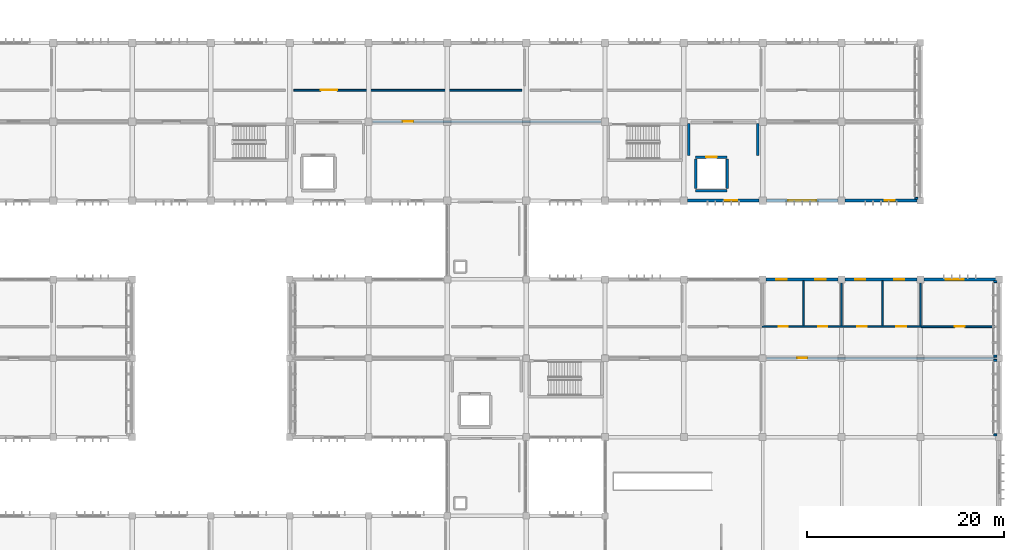
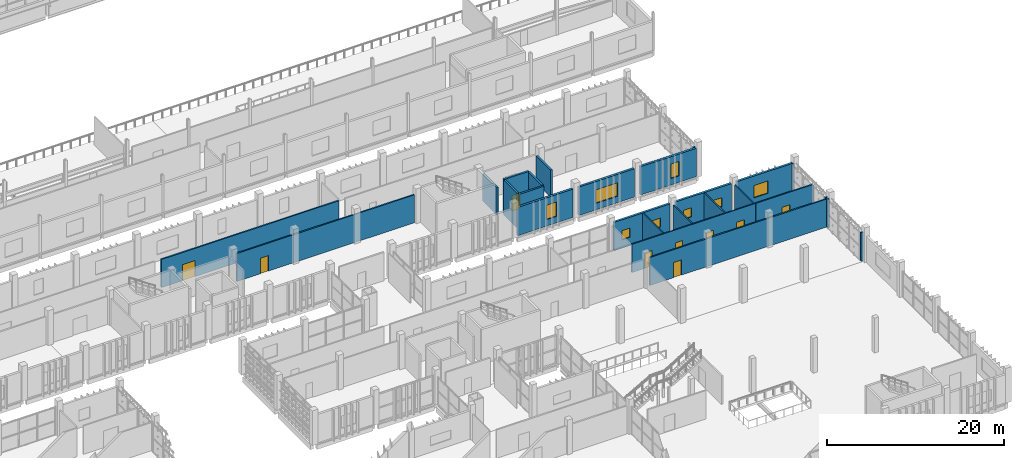
# One storey, part 89 of 106: 26 walls, 9 doors, 8 windows, 17 openings.
"""IFC4 building model written with IfcOpenShell, lengths in metres."""

from ifc_helpers import new_model, si_unit, direction, frame, frame_2d, origin, place, context, subcontext, project, spatial, rectangle, extrude, material, layer, layer_set, type_object, element, fill, save


model = new_model("IFC4")

# Units and contexts
model_context = context("Model", 3, precision=1e-05, world=origin(), true_north=direction((0.0, 1.0)))
body_context = subcontext(model_context, "Body", "Model", "MODEL_VIEW")
ifc_project = project(units=[si_unit("LENGTHUNIT", "METRE"), si_unit("AREAUNIT", "SQUARE_METRE"), si_unit("VOLUMEUNIT", "CUBIC_METRE"), si_unit("PLANEANGLEUNIT", "RADIAN"), si_unit("MASSUNIT", "GRAM", prefix="KILO")], contexts=[model_context])

# Site, building, storey
site_placement = place(None, origin())
site = spatial("IfcSite", under=ifc_project, at=site_placement, CompositionType="ELEMENT")
building_placement = place(site_placement, origin())
building = spatial("IfcBuilding", under=site, at=building_placement, Name="Jelvoka-Kovrelna Polytechnic", CompositionType="ELEMENT")
storey_placement = place(building_placement, frame((0.0, 0.0, 4.800048828125)))
storey = spatial("IfcBuildingStorey", under=building, at=storey_placement, Name="L02", CompositionType="ELEMENT", Elevation=4.800048828125)

# Walls
ifc_material_1 = material(Name="Concrete C35/45", Category="concrete")
ifc_layer_1 = layer(ifc_material_1, 0.219970703125)
ifc_layer_set_1 = layer_set([ifc_layer_1], Name="Concrete C35/45")
wall_type_1 = type_object("IfcWallType", Name="Wall_Compartment_220", PredefinedType="PARTITIONING", material=ifc_layer_set_1)
for number, where, z_axis, x_axis, name in (
    (1, (168.5, 60.550048828125, 0.0), (0.0, 0.0, 1.0), (0.0, 1.0, 0.0), "L02 interior wall 0347"),
    (2, (175.5, 60.550048828125, 0.0), (0.0, 0.0, 1.0), (0.0, 1.0, 0.0), "L02 interior wall 0348"),
):
    element("IfcWall", number, at=place(storey_placement, frame(where, z_axis=z_axis, x_axis=x_axis)), inside=storey, type_object=wall_type_1, Name=name, PredefinedType="PARTITIONING", context=body_context, shape_type="SweptSolid", body=[
        extrude(rectangle(XDim=3.25, YDim=0.219970703125, at=frame_2d((1.625, 0.0))), origin(), (0.0, 0.0, 1.0), 3.760009765625),
    ])
ifc_material_2 = material(Name="Concrete C40/50", Category="concrete")
ifc_layer_2 = layer(ifc_material_2, 0.25)
ifc_layer_set_2 = layer_set([ifc_layer_2], Name="Concrete C40/50")
wall_type_2 = type_object("IfcWallType", Name="Wall_Core_250", PredefinedType="SOLIDWALL", material=ifc_layer_set_2)
wall_1_placement = place(storey_placement, frame((169.199951171875, 57.0, 0.0), z_axis=(0.0, 0.0, 1.0), x_axis=(1.0, 0.0, 0.0)))
element("IfcWall", 3, at=wall_1_placement, inside=storey, type_object=wall_type_2, Name="L02 interior wall 0342", PredefinedType="SOLIDWALL", context=body_context, shape_type="SweptSolid", body=[
    extrude(rectangle(XDim=3.199951171875, YDim=0.25, at=frame_2d((1.60009765625, 0.0))), origin(), (0.0, 0.0, 1.0), 4.800048828125),
])

# Wall, opening, door
wall_2_placement = place(storey_placement, frame((169.199951171875, 60.39990234375, 0.0), z_axis=(0.0, 0.0, 1.0), x_axis=(1.0, 0.0, 0.0)))
wall_2 = element("IfcWall", 4, at=wall_2_placement, inside=storey, type_object=wall_type_2, Name="L02 interior wall 0343", PredefinedType="SOLIDWALL", context=body_context, shape_type="SweptSolid", body=[
    extrude(rectangle(XDim=3.199951171875, YDim=0.25, at=frame_2d((1.60009765625, 0.0))), origin(), (0.0, 0.0, 1.0), 4.800048828125),
])
opening_1_placement = place(wall_2_placement, frame((1.050048828125, 0.0, 0.0)))
opening_1 = element("IfcOpeningElement", 5, at=opening_1_placement, cuts=wall_2, Name="Opening LD-L02-12", PredefinedType="OPENING", context=body_context, shape_type="SweptSolid", body=[
    extrude(rectangle(XDim=1.10009765625, YDim=2.14990234375, at=frame_2d((0.550048828125, 1.074951171875))), frame((0.0, 0.135009765625, 0.0), z_axis=(0.0, -1.0, 0.0), x_axis=(1.0, 0.0, 0.0)), (0.0, 0.0, 1.0), 0.27001953125),
])
ifc_material_3 = material(Name="Brushed stainless steel sliding landing door", Category="steel")
door_type_1 = type_object("IfcDoorType", Name="Door_Lift_LD01", OperationType="NOTDEFINED", PredefinedType="DOOR", material=ifc_material_3)
door_1_placement = place(opening_1_placement, origin())
door_1 = element("IfcDoor", 6, at=door_1_placement, inside=storey, type_object=door_type_1, Name="L02 lift landing sliding door LD-L02-12", OperationType="DOUBLE_DOOR_SLIDING", OverallHeight=2.14990234375, OverallWidth=1.10009765625, PredefinedType="DOOR", context=body_context, shape_type="SweptSolid", body=[
    extrude(rectangle(XDim=1.10009765625, YDim=2.14990234375, at=frame_2d((0.550048828125, 1.074951171875))), frame((0.0, 0.02490234375, 0.0), z_axis=(0.0, -1.0, 0.0), x_axis=(1.0, 0.0, 0.0)), (0.0, 0.0, 1.0), 0.050048828125),
])
fill(opening_1, door_1)

# Walls
for number, where, z_axis, x_axis, name in (
    (7, (169.199951171875, 57.199951171875, 0.0), (0.0, 0.0, 1.0), (0.0, 1.0, 0.0), "L02 interior wall 0344"),
    (8, (172.39990234375, 57.199951171875, 0.0), (0.0, 0.0, 1.0), (0.0, 1.0, 0.0), "L02 interior wall 0345"),
):
    element("IfcWall", number, at=place(storey_placement, frame(where, z_axis=z_axis, x_axis=x_axis)), inside=storey, type_object=wall_type_2, Name=name, PredefinedType="SOLIDWALL", context=body_context, shape_type="SweptSolid", body=[
        extrude(rectangle(XDim=3.0, YDim=0.25, at=frame_2d((1.5, 0.0))), origin(), (0.0, 0.0, 1.0), 4.800048828125),
    ])

# Wall, opening, door
ifc_material_4 = material(Name="Autoclaved aerated concrete blockwork", Category="masonry")
ifc_layer_3 = layer(ifc_material_4, 0.179931640625)
ifc_layer_set_3 = layer_set([ifc_layer_3], Name="Autoclaved aerated concrete blockwork")
wall_type_3 = type_object("IfcWallType", Name="Wall_Corridor_180", PredefinedType="PARTITIONING", material=ifc_layer_set_3)
wall_3_placement = place(storey_placement, frame((176.429931640625, 40.0, 0.0), z_axis=(0.0, 0.0, 1.0), x_axis=(1.0, 0.0, 0.0)))
wall_3 = element("IfcWall", 9, at=wall_3_placement, inside=storey, type_object=wall_type_3, Name="L02 interior wall 0969", PredefinedType="PARTITIONING", context=body_context, shape_type="SweptSolid", body=[
    extrude(rectangle(XDim=23.14013671875, YDim=0.179931640625, at=frame_2d((11.570068359375, 0.0))), origin(), (0.0, 0.0, 1.0), 3.85986328125),
])
opening_2_placement = place(wall_3_placement, frame((3.06005859375, 0.0, 0.0)))
opening_2 = element("IfcOpeningElement", 10, at=opening_2_placement, cuts=wall_3, Name="Opening D-L02-237", PredefinedType="OPENING", context=body_context, shape_type="SweptSolid", body=[
    extrude(rectangle(XDim=1.02001953125, YDim=2.10009765625, at=frame_2d((0.510009765625, 1.050048828125))), frame((0.0, 0.099853515625, 0.0), z_axis=(0.0, -1.0, 0.0), x_axis=(1.0, 0.0, 0.0)), (0.0, 0.0, 1.0), 0.199951171875),
])
ifc_material_5 = material(Name="Hardwood solid-core door", Category="wood")
door_type_2 = type_object("IfcDoorType", Name="Door_Int_D04", OperationType="NOTDEFINED", PredefinedType="DOOR", material=ifc_material_5)
door_2_placement = place(opening_2_placement, origin())
door_2 = element("IfcDoor", 11, at=door_2_placement, inside=storey, type_object=door_type_2, Name="L02 interior door D-L02-237", OperationType="SINGLE_SWING_RIGHT", OverallHeight=2.10009765625, OverallWidth=1.02001953125, PredefinedType="DOOR", context=body_context, shape_type="SweptSolid", body=[
    extrude(rectangle(XDim=1.02001953125, YDim=2.10009765625, at=frame_2d((0.510009765625, 1.050048828125))), frame((0.0, 0.02490234375, 0.0), z_axis=(0.0, -1.0, 0.0), x_axis=(1.0, 0.0, 0.0)), (0.0, 0.0, 1.0), 0.050048828125),
])
fill(opening_2, door_2)

wall_4_placement = place(storey_placement, frame((192.074951171875, 43.199951171875, 0.0), z_axis=(0.0, 0.0, 1.0), x_axis=(1.0, 0.0, 0.0)))
wall_4 = element("IfcWall", 12, at=wall_4_placement, inside=storey, type_object=wall_type_3, Name="L02 interior wall 0974", PredefinedType="PARTITIONING", context=body_context, shape_type="SweptSolid", body=[
    extrude(rectangle(XDim=7.4951171875, YDim=0.179931640625, at=frame_2d((3.74755859375, 0.0))), origin(), (0.0, 0.0, 1.0), 3.89990234375),
])
opening_3_placement = place(wall_4_placement, frame((3.405029296875, 0.0, 0.0)))
opening_3 = element("IfcOpeningElement", 13, at=opening_3_placement, cuts=wall_4, Name="Opening D-L02-241", PredefinedType="OPENING", context=body_context, shape_type="SweptSolid", body=[
    extrude(rectangle(XDim=1.0400390625, YDim=2.14990234375, at=frame_2d((0.52001953125, 1.074951171875))), frame((0.0, 0.099853515625, 0.0), z_axis=(0.0, -1.0, 0.0), x_axis=(1.0, 0.0, 0.0)), (0.0, 0.0, 1.0), 0.199951171875),
])
ifc_material_6 = material(Name="Hardwood acoustic seminar door", Category="wood")
door_type_3 = type_object("IfcDoorType", Name="Door_Int_D09", OperationType="NOTDEFINED", PredefinedType="DOOR", material=ifc_material_6)
door_3_placement = place(opening_3_placement, origin())
door_3 = element("IfcDoor", 14, at=door_3_placement, inside=storey, type_object=door_type_3, Name="L02 interior door D-L02-241", OperationType="SINGLE_SWING_RIGHT", OverallHeight=2.14990234375, OverallWidth=1.0400390625, PredefinedType="DOOR", context=body_context, shape_type="SweptSolid", body=[
    extrude(rectangle(XDim=1.0400390625, YDim=2.14990234375, at=frame_2d((0.52001953125, 1.074951171875))), frame((0.0, 0.02490234375, 0.0), z_axis=(0.0, -1.0, 0.0), x_axis=(1.0, 0.0, 0.0)), (0.0, 0.0, 1.0), 0.050048828125),
])
fill(opening_3, door_3)

wall_5_placement = place(storey_placement, frame((136.429931640625, 64.0, 0.0), z_axis=(0.0, 0.0, 1.0), x_axis=(1.0, 0.0, 0.0)))
wall_5 = element("IfcWall", 15, at=wall_5_placement, inside=storey, type_object=wall_type_3, Name="L02 interior wall 0981", PredefinedType="PARTITIONING", context=body_context, shape_type="SweptSolid", body=[
    extrude(rectangle(XDim=23.14013671875, YDim=0.179931640625, at=frame_2d((11.570068359375, 0.0))), origin(), (0.0, 0.0, 1.0), 3.85986328125),
])
opening_4_placement = place(wall_5_placement, frame((3.044921875, 0.0, 0.0)))
opening_4 = element("IfcOpeningElement", 16, at=opening_4_placement, cuts=wall_5, Name="Opening D-L02-246", PredefinedType="OPENING", context=body_context, shape_type="SweptSolid", body=[
    extrude(rectangle(XDim=1.050048828125, YDim=2.14990234375, at=frame_2d((0.52490234375, 1.074951171875))), frame((0.0, 0.099853515625, 0.0), z_axis=(0.0, -1.0, 0.0), x_axis=(1.0, 0.0, 0.0)), (0.0, 0.0, 1.0), 0.199951171875),
])
ifc_material_7 = material(Name="Hardwood fire-resisting laboratory door", Category="wood")
door_type_4 = type_object("IfcDoorType", Name="Door_Fire_FD30_02", OperationType="NOTDEFINED", PredefinedType="DOOR", material=ifc_material_7)
door_4_placement = place(opening_4_placement, origin())
door_4 = element("IfcDoor", 17, at=door_4_placement, inside=storey, type_object=door_type_4, Name="L02 interior door D-L02-246", OperationType="SINGLE_SWING_LEFT", OverallHeight=2.14990234375, OverallWidth=1.050048828125, PredefinedType="DOOR", context=body_context, shape_type="SweptSolid", body=[
    extrude(rectangle(XDim=1.050048828125, YDim=2.14990234375, at=frame_2d((0.52490234375, 1.074951171875))), frame((0.0, 0.02490234375, 0.0), z_axis=(0.0, -1.0, 0.0), x_axis=(1.0, 0.0, 0.0)), (0.0, 0.0, 1.0), 0.050048828125),
])
fill(opening_4, door_4)

wall_6_placement = place(storey_placement, frame((128.429931640625, 67.199951171875, 0.0), z_axis=(0.0, 0.0, 1.0), x_axis=(1.0, 0.0, 0.0)))
wall_6 = element("IfcWall", 18, at=wall_6_placement, inside=storey, type_object=wall_type_3, Name="L02 interior wall 0987", PredefinedType="PARTITIONING", context=body_context, shape_type="SweptSolid", body=[
    extrude(rectangle(XDim=23.14013671875, YDim=0.179931640625, at=frame_2d((11.570068359375, 0.0))), origin(), (0.0, 0.0, 1.0), 3.89990234375),
])
opening_5_placement = place(wall_6_placement, frame((2.739990234375, 0.0, 0.0)))
opening_5 = element("IfcOpeningElement", 19, at=opening_5_placement, cuts=wall_6, Name="Opening D-L02-251", PredefinedType="OPENING", context=body_context, shape_type="SweptSolid", body=[
    extrude(rectangle(XDim=1.659912109375, YDim=2.219970703125, at=frame_2d((0.830078125, 1.10986328125))), frame((0.0, 0.099853515625, 0.0), z_axis=(0.0, -1.0, 0.0), x_axis=(1.0, 0.0, 0.0)), (0.0, 0.0, 1.0), 0.199951171875),
])
ifc_material_8 = material(Name="Paired acoustic fire-resisting lecture door", Category="wood")
door_type_5 = type_object("IfcDoorType", Name="Door_Fire_FD30_08", OperationType="NOTDEFINED", PredefinedType="DOOR", material=ifc_material_8)
door_5_placement = place(opening_5_placement, origin())
door_5 = element("IfcDoor", 20, at=door_5_placement, inside=storey, type_object=door_type_5, Name="L02 interior door D-L02-251", OperationType="DOUBLE_DOOR_SINGLE_SWING", OverallHeight=2.219970703125, OverallWidth=1.659912109375, PredefinedType="DOOR", context=body_context, shape_type="SweptSolid", body=[
    extrude(rectangle(XDim=1.659912109375, YDim=2.219970703125, at=frame_2d((0.830078125, 1.10986328125))), frame((0.0, 0.02490234375, 0.0), z_axis=(0.0, -1.0, 0.0), x_axis=(1.0, 0.0, 0.0)), (0.0, 0.0, 1.0), 0.050048828125),
])
fill(opening_5, door_5)

# Wall, openings, windows
ifc_material_9 = material(Name="Precast concrete C40/50", Category="concrete")
ifc_layer_4 = layer(ifc_material_9, 0.280029296875)
ifc_layer_set_4 = layer_set([ifc_layer_4], Name="Precast concrete C40/50")
wall_type_4 = type_object("IfcWallType", Name="Wall_Ext_White_280", PredefinedType="STANDARD", material=ifc_layer_set_4)
wall_7_placement = place(storey_placement, frame((176.346923828125, 48.0, 0.0), z_axis=(0.0, 0.0, 1.0), x_axis=(1.0, 0.0, 0.0)))
wall_7 = element("IfcWall", 21, at=wall_7_placement, inside=storey, type_object=wall_type_4, Name="L02 exterior wall 0465", PredefinedType="STANDARD", context=body_context, shape_type="SweptSolid", body=[
    extrude(rectangle(XDim=7.30615234375, YDim=0.280029296875, at=frame_2d((3.653076171875, 0.0))), origin(), (0.0, 0.0, 1.0), 3.909912109375),
])
opening_6_placement = place(wall_7_placement, frame((1.032958984375, 0.0, 1.14990234375)))
opening_6 = element("IfcOpeningElement", 22, at=opening_6_placement, cuts=wall_7, Name="Opening W-L02-182", PredefinedType="OPENING", context=body_context, shape_type="SweptSolid", body=[
    extrude(rectangle(XDim=1.050048828125, YDim=1.25, at=frame_2d((0.52490234375, 0.625))), frame((0.0, 0.150146484375, 0.0), z_axis=(0.0, -1.0, 0.0), x_axis=(1.0, 0.0, 0.0)), (0.0, 0.0, 1.0), 0.300048828125),
])
opening_7_placement = place(wall_7_placement, frame((4.98291015625, 0.0, 1.14990234375)))
opening_7 = element("IfcOpeningElement", 23, at=opening_7_placement, cuts=wall_7, Name="Opening W-L02-183", PredefinedType="OPENING", context=body_context, shape_type="SweptSolid", body=[
    extrude(rectangle(XDim=1.050048828125, YDim=1.25, at=frame_2d((0.52490234375, 0.625))), frame((0.0, 0.150146484375, 0.0), z_axis=(0.0, -1.0, 0.0), x_axis=(1.0, 0.0, 0.0)), (0.0, 0.0, 1.0), 0.300048828125),
])
ifc_material_10 = material(Name="Thermally broken anodised aluminium and low-e glazing", Category="aluminium")
window_type_1 = type_object("IfcWindowType", Name="Win_Casement_W01", PartitioningType="SINGLE_PANEL", PredefinedType="WINDOW", material=ifc_material_10)
window_1_placement = place(opening_6_placement, origin())
window_1 = element("IfcWindow", 24, at=window_1_placement, inside=storey, type_object=window_type_1, Name="L02 aluminium casement window W-L02-182", OverallHeight=1.25, OverallWidth=1.050048828125, PartitioningType="SINGLE_PANEL", PredefinedType="WINDOW", context=body_context, shape_type="SweptSolid", body=[
    extrude(rectangle(XDim=1.050048828125, YDim=1.25, at=frame_2d((0.52490234375, 0.625))), frame((0.0, 0.030029296875, 0.0), z_axis=(0.0, -1.0, 0.0), x_axis=(1.0, 0.0, 0.0)), (0.0, 0.0, 1.0), 0.06005859375),
])
fill(opening_6, window_1)
window_2_placement = place(opening_7_placement, origin())
window_2 = element("IfcWindow", 25, at=window_2_placement, inside=storey, type_object=window_type_1, Name="L02 aluminium casement window W-L02-183", OverallHeight=1.25, OverallWidth=1.050048828125, PartitioningType="SINGLE_PANEL", PredefinedType="WINDOW", context=body_context, shape_type="SweptSolid", body=[
    extrude(rectangle(XDim=1.050048828125, YDim=1.25, at=frame_2d((0.52490234375, 0.625))), frame((0.0, 0.030029296875, 0.0), z_axis=(0.0, -1.0, 0.0), x_axis=(1.0, 0.0, 0.0)), (0.0, 0.0, 1.0), 0.06005859375),
])
fill(opening_7, window_2)

wall_8_placement = place(storey_placement, frame((184.346923828125, 48.0, 0.0), z_axis=(0.0, 0.0, 1.0), x_axis=(1.0, 0.0, 0.0)))
wall_8 = element("IfcWall", 26, at=wall_8_placement, inside=storey, type_object=wall_type_4, Name="L02 exterior wall 0466", PredefinedType="STANDARD", context=body_context, shape_type="SweptSolid", body=[
    extrude(rectangle(XDim=7.30615234375, YDim=0.280029296875, at=frame_2d((3.653076171875, 0.0))), origin(), (0.0, 0.0, 1.0), 3.909912109375),
])
opening_8_placement = place(wall_8_placement, frame((1.032958984375, 0.0, 1.14990234375)))
opening_8 = element("IfcOpeningElement", 27, at=opening_8_placement, cuts=wall_8, Name="Opening W-L02-184", PredefinedType="OPENING", context=body_context, shape_type="SweptSolid", body=[
    extrude(rectangle(XDim=1.050048828125, YDim=1.25, at=frame_2d((0.52490234375, 0.625))), frame((0.0, 0.150146484375, 0.0), z_axis=(0.0, -1.0, 0.0), x_axis=(1.0, 0.0, 0.0)), (0.0, 0.0, 1.0), 0.300048828125),
])
opening_9_placement = place(wall_8_placement, frame((4.98291015625, 0.0, 1.14990234375)))
opening_9 = element("IfcOpeningElement", 28, at=opening_9_placement, cuts=wall_8, Name="Opening W-L02-185", PredefinedType="OPENING", context=body_context, shape_type="SweptSolid", body=[
    extrude(rectangle(XDim=1.050048828125, YDim=1.25, at=frame_2d((0.52490234375, 0.625))), frame((0.0, 0.150146484375, 0.0), z_axis=(0.0, -1.0, 0.0), x_axis=(1.0, 0.0, 0.0)), (0.0, 0.0, 1.0), 0.300048828125),
])
window_3_placement = place(opening_8_placement, origin())
window_3 = element("IfcWindow", 29, at=window_3_placement, inside=storey, type_object=window_type_1, Name="L02 aluminium casement window W-L02-184", OverallHeight=1.25, OverallWidth=1.050048828125, PartitioningType="SINGLE_PANEL", PredefinedType="WINDOW", context=body_context, shape_type="SweptSolid", body=[
    extrude(rectangle(XDim=1.050048828125, YDim=1.25, at=frame_2d((0.52490234375, 0.625))), frame((0.0, 0.030029296875, 0.0), z_axis=(0.0, -1.0, 0.0), x_axis=(1.0, 0.0, 0.0)), (0.0, 0.0, 1.0), 0.06005859375),
])
fill(opening_8, window_3)
window_4_placement = place(opening_9_placement, origin())
window_4 = element("IfcWindow", 30, at=window_4_placement, inside=storey, type_object=window_type_1, Name="L02 aluminium casement window W-L02-185", OverallHeight=1.25, OverallWidth=1.050048828125, PartitioningType="SINGLE_PANEL", PredefinedType="WINDOW", context=body_context, shape_type="SweptSolid", body=[
    extrude(rectangle(XDim=1.050048828125, YDim=1.25, at=frame_2d((0.52490234375, 0.625))), frame((0.0, 0.030029296875, 0.0), z_axis=(0.0, -1.0, 0.0), x_axis=(1.0, 0.0, 0.0)), (0.0, 0.0, 1.0), 0.06005859375),
])
fill(opening_9, window_4)

# Wall, opening, window
wall_9_placement = place(storey_placement, frame((192.346923828125, 48.0, 0.0), z_axis=(0.0, 0.0, 1.0), x_axis=(1.0, 0.0, 0.0)))
wall_9 = element("IfcWall", 31, at=wall_9_placement, inside=storey, type_object=wall_type_4, Name="L02 exterior wall 0467", PredefinedType="STANDARD", context=body_context, shape_type="SweptSolid", body=[
    extrude(rectangle(XDim=7.30615234375, YDim=0.280029296875, at=frame_2d((3.653076171875, 0.0))), origin(), (0.0, 0.0, 1.0), 3.909912109375),
])
opening_10_placement = place(wall_9_placement, frame((2.23291015625, 0.0, 0.89990234375)))
opening_10 = element("IfcOpeningElement", 32, at=opening_10_placement, cuts=wall_9, Name="Opening W-L02-186", PredefinedType="OPENING", context=body_context, shape_type="SweptSolid", body=[
    extrude(rectangle(XDim=1.85009765625, YDim=1.699951171875, at=frame_2d((0.925048828125, 0.85009765625))), frame((0.0, 0.150146484375, 0.0), z_axis=(0.0, -1.0, 0.0), x_axis=(1.0, 0.0, 0.0)), (0.0, 0.0, 1.0), 0.300048828125),
])
ifc_material_11 = material(Name="Thermally broken anodised aluminium and low-e glazing", Category="aluminium")
window_type_2 = type_object("IfcWindowType", Name="Win_Casement_W35", PartitioningType="DOUBLE_PANEL_VERTICAL", PredefinedType="WINDOW", material=ifc_material_11)
window_5_placement = place(opening_10_placement, origin())
window_5 = element("IfcWindow", 33, at=window_5_placement, inside=storey, type_object=window_type_2, Name="L02 aluminium casement window W-L02-186", OverallHeight=1.699951171875, OverallWidth=1.85009765625, PartitioningType="DOUBLE_PANEL_VERTICAL", PredefinedType="WINDOW", context=body_context, shape_type="SweptSolid", body=[
    extrude(rectangle(XDim=1.85009765625, YDim=1.699951171875, at=frame_2d((0.925048828125, 0.85009765625))), frame((0.0, 0.030029296875, 0.0), z_axis=(0.0, -1.0, 0.0), x_axis=(1.0, 0.0, 0.0)), (0.0, 0.0, 1.0), 0.06005859375),
])
fill(opening_10, window_5)

wall_10_placement = place(storey_placement, frame((175.6279296875, 56.0, 0.0), z_axis=(0.0, 0.0, 1.0), x_axis=(-1.0, 0.0, 0.0)))
wall_10 = element("IfcWall", 34, at=wall_10_placement, inside=storey, type_object=wall_type_4, Name="L02 exterior wall 0629", PredefinedType="STANDARD", context=body_context, shape_type="SweptSolid", body=[
    extrude(rectangle(XDim=7.255859375, YDim=0.280029296875, at=frame_2d((3.6279296875, 0.0))), origin(), (0.0, 0.0, 1.0), 3.909912109375),
])
opening_11_placement = place(wall_10_placement, frame((2.2080078125, 0.0, 0.89990234375)))
opening_11 = element("IfcOpeningElement", 35, at=opening_11_placement, cuts=wall_10, Name="Opening W-L02-303", PredefinedType="OPENING", context=body_context, shape_type="SweptSolid", body=[
    extrude(rectangle(XDim=1.25, YDim=2.0, at=frame_2d((0.625, 1.0))), frame((0.0, 0.150146484375, 0.0), z_axis=(0.0, -1.0, 0.0), x_axis=(1.0, 0.0, 0.0)), (0.0, 0.0, 1.0), 0.300048828125),
])
ifc_material_12 = material(Name="Thermally broken anodised aluminium and low-e glazing", Category="aluminium")
window_type_3 = type_object("IfcWindowType", Name="Win_Casement_W52", PartitioningType="SINGLE_PANEL", PredefinedType="WINDOW", material=ifc_material_12)
window_6_placement = place(opening_11_placement, origin())
window_6 = element("IfcWindow", 36, at=window_6_placement, inside=storey, type_object=window_type_3, Name="L02 aluminium casement window W-L02-303", OverallHeight=2.0, OverallWidth=1.25, PartitioningType="SINGLE_PANEL", PredefinedType="WINDOW", context=body_context, shape_type="SweptSolid", body=[
    extrude(rectangle(XDim=1.25, YDim=2.0, at=frame_2d((0.625, 1.0))), frame((0.0, 0.030029296875, 0.0), z_axis=(0.0, -1.0, 0.0), x_axis=(1.0, 0.0, 0.0)), (0.0, 0.0, 1.0), 0.06005859375),
])
fill(opening_11, window_6)

wall_11_placement = place(storey_placement, frame((183.6279296875, 56.0, 0.0), z_axis=(0.0, 0.0, 1.0), x_axis=(-1.0, 0.0, 0.0)))
wall_11 = element("IfcWall", 37, at=wall_11_placement, inside=storey, type_object=wall_type_4, Name="L02 exterior wall 0631", PredefinedType="STANDARD", context=body_context, shape_type="SweptSolid", body=[
    extrude(rectangle(XDim=7.255859375, YDim=0.280029296875, at=frame_2d((3.6279296875, 0.0))), origin(), (0.0, 0.0, 1.0), 3.909912109375),
])
opening_12_placement = place(wall_11_placement, frame((2.2080078125, 0.0, 0.89990234375)))
opening_12 = element("IfcOpeningElement", 38, at=opening_12_placement, cuts=wall_11, Name="Opening W-L02-305", PredefinedType="OPENING", context=body_context, shape_type="SweptSolid", body=[
    extrude(rectangle(XDim=2.85009765625, YDim=1.85009765625, at=frame_2d((1.425048828125, 0.925048828125))), frame((0.0, 0.150146484375, 0.0), z_axis=(0.0, -1.0, 0.0), x_axis=(1.0, 0.0, 0.0)), (0.0, 0.0, 1.0), 0.300048828125),
])
ifc_material_13 = material(Name="Thermally broken anodised aluminium and low-e glazing", Category="aluminium")
window_type_4 = type_object("IfcWindowType", Name="Win_Casement_W50", PartitioningType="DOUBLE_PANEL_VERTICAL", PredefinedType="WINDOW", material=ifc_material_13)
window_7_placement = place(opening_12_placement, origin())
window_7 = element("IfcWindow", 39, at=window_7_placement, inside=storey, type_object=window_type_4, Name="L02 aluminium casement window W-L02-305", OverallHeight=1.85009765625, OverallWidth=2.85009765625, PartitioningType="DOUBLE_PANEL_VERTICAL", PredefinedType="WINDOW", context=body_context, shape_type="SweptSolid", body=[
    extrude(rectangle(XDim=2.85009765625, YDim=1.85009765625, at=frame_2d((1.425048828125, 0.925048828125))), frame((0.0, 0.030029296875, 0.0), z_axis=(0.0, -1.0, 0.0), x_axis=(1.0, 0.0, 0.0)), (0.0, 0.0, 1.0), 0.06005859375),
])
fill(opening_12, window_7)

wall_12_placement = place(storey_placement, frame((191.677978515625, 56.0, 0.0), z_axis=(0.0, 0.0, 1.0), x_axis=(-1.0, 0.0, 0.0)))
wall_12 = element("IfcWall", 40, at=wall_12_placement, inside=storey, type_object=wall_type_4, Name="L02 exterior wall 0633", PredefinedType="STANDARD", context=body_context, shape_type="SweptSolid", body=[
    extrude(rectangle(XDim=7.305908203125, YDim=0.280029296875, at=frame_2d((3.65283203125, 0.0))), origin(), (0.0, 0.0, 1.0), 3.909912109375),
])
opening_13_placement = place(wall_12_placement, frame((2.258056640625, 0.0, 0.89990234375)))
opening_13 = element("IfcOpeningElement", 41, at=opening_13_placement, cuts=wall_12, Name="Opening W-L02-307", PredefinedType="OPENING", context=body_context, shape_type="SweptSolid", body=[
    extrude(rectangle(XDim=1.050048828125, YDim=2.0, at=frame_2d((0.52490234375, 1.0))), frame((0.0, 0.150146484375, 0.0), z_axis=(0.0, -1.0, 0.0), x_axis=(1.0, 0.0, 0.0)), (0.0, 0.0, 1.0), 0.300048828125),
])
ifc_material_14 = material(Name="Thermally broken anodised aluminium and low-e glazing", Category="aluminium")
window_type_5 = type_object("IfcWindowType", Name="Win_Casement_W51", PartitioningType="SINGLE_PANEL", PredefinedType="WINDOW", material=ifc_material_14)
window_8_placement = place(opening_13_placement, origin())
window_8 = element("IfcWindow", 42, at=window_8_placement, inside=storey, type_object=window_type_5, Name="L02 aluminium casement window W-L02-307", OverallHeight=2.0, OverallWidth=1.050048828125, PartitioningType="SINGLE_PANEL", PredefinedType="WINDOW", context=body_context, shape_type="SweptSolid", body=[
    extrude(rectangle(XDim=1.050048828125, YDim=2.0, at=frame_2d((0.52490234375, 1.0))), frame((0.0, 0.030029296875, 0.0), z_axis=(0.0, -1.0, 0.0), x_axis=(1.0, 0.0, 0.0)), (0.0, 0.0, 1.0), 0.06005859375),
])
fill(opening_13, window_8)

# Walls
ifc_material_15 = material(Name="Precast concrete C40/50", Category="concrete")
ifc_layer_5 = layer(ifc_material_15, 0.199951171875)
ifc_layer_set_5 = layer_set([ifc_layer_5], Name="Precast concrete C40/50")
wall_type_5 = type_object("IfcWallType", Name="Wall_Parapet_200", PredefinedType="PARAPET", material=ifc_layer_set_5)
for number, where, z_axis, x_axis, name in (
    (43, (199.760009765625, 32.219970703125, 0.0), (0.0, 0.0, 1.0), (-1.0, 0.0, 0.0), "L02 exterior wall 0472"),
    (44, (199.760009765625, 39.780029296875, 0.0), (0.0, 0.0, 1.0), (-1.0, 0.0, 0.0), "L02 exterior wall 0473"),
    (45, (199.760009765625, 40.219970703125, 0.0), (0.0, 0.0, 1.0), (-1.0, 0.0, 0.0), "L02 exterior wall 0474"),
    (46, (199.760009765625, 47.780029296875, 0.0), (0.0, 0.0, 1.0), (-1.0, 0.0, 0.0), "L02 exterior wall 0475"),
    (47, (191.760009765625, 56.219970703125, 0.0), (0.0, 0.0, 1.0), (-1.0, 0.0, 0.0), "L02 exterior wall 0635"),
):
    element("IfcWall", number, at=place(storey_placement, frame(where, z_axis=z_axis, x_axis=x_axis)), inside=storey, type_object=wall_type_5, Name=name, PredefinedType="PARAPET", context=body_context, shape_type="SweptSolid", body=[
        extrude(rectangle(XDim=0.320068359375, YDim=0.199951171875, at=frame_2d((0.16015625, 0.0))), origin(), (0.0, 0.0, 1.0), 3.949951171875),
    ])

# Wall, openings, doors
ifc_material_16 = material(Name="Autoclaved aerated concrete blockwork", Category="masonry")
ifc_layer_6 = layer(ifc_material_16, 0.14990234375)
ifc_layer_set_6 = layer_set([ifc_layer_6], Name="Autoclaved aerated concrete blockwork")
wall_type_6 = type_object("IfcWallType", Name="Wall_Partition_150", PredefinedType="PARTITIONING", material=ifc_layer_set_6)
wall_13_placement = place(storey_placement, frame((175.925048828125, 43.199951171875, 0.0), z_axis=(0.0, 0.0, 1.0), x_axis=(1.0, 0.0, 0.0)))
wall_13 = element("IfcWall", 48, at=wall_13_placement, inside=storey, type_object=wall_type_6, Name="L02 interior wall 0940", PredefinedType="PARTITIONING", context=body_context, shape_type="SweptSolid", body=[
    extrude(rectangle(XDim=16.14990234375, YDim=0.14990234375, at=frame_2d((8.074951171875, 0.0))), origin(), (0.0, 0.0, 1.0), 3.89990234375),
])
opening_14_placement = place(wall_13_placement, frame((1.715087890625, 0.0, 0.0)))
opening_14 = element("IfcOpeningElement", 49, at=opening_14_placement, cuts=wall_13, Name="Opening D-L02-216", PredefinedType="OPENING", context=body_context, shape_type="SweptSolid", body=[
    extrude(rectangle(XDim=0.919921875, YDim=2.1201171875, at=frame_2d((0.4599609375, 1.06005859375))), frame((0.0, 0.0849609375, 0.0), z_axis=(0.0, -1.0, 0.0), x_axis=(1.0, 0.0, 0.0)), (0.0, 0.0, 1.0), 0.169921875),
])
opening_15_placement = place(wall_13_placement, frame((5.695068359375, 0.0, 0.0)))
opening_15 = element("IfcOpeningElement", 50, at=opening_15_placement, cuts=wall_13, Name="Opening D-L02-217", PredefinedType="OPENING", context=body_context, shape_type="SweptSolid", body=[
    extrude(rectangle(XDim=0.919921875, YDim=2.1201171875, at=frame_2d((0.4599609375, 1.06005859375))), frame((0.0, 0.0849609375, 0.0), z_axis=(0.0, -1.0, 0.0), x_axis=(1.0, 0.0, 0.0)), (0.0, 0.0, 1.0), 0.169921875),
])
opening_16_placement = place(wall_13_placement, frame((9.6650390625, 0.0, 0.0)))
opening_16 = element("IfcOpeningElement", 51, at=opening_16_placement, cuts=wall_13, Name="Opening D-L02-218", PredefinedType="OPENING", context=body_context, shape_type="SweptSolid", body=[
    extrude(rectangle(XDim=0.97998046875, YDim=2.1201171875, at=frame_2d((0.489990234375, 1.06005859375))), frame((0.0, 0.0849609375, 0.0), z_axis=(0.0, -1.0, 0.0), x_axis=(1.0, 0.0, 0.0)), (0.0, 0.0, 1.0), 0.169921875),
])
opening_17_placement = place(wall_13_placement, frame((13.655029296875, 0.0, 0.0)))
opening_17 = element("IfcOpeningElement", 52, at=opening_17_placement, cuts=wall_13, Name="Opening D-L02-219", PredefinedType="OPENING", context=body_context, shape_type="SweptSolid", body=[
    extrude(rectangle(XDim=1.0, YDim=2.14990234375, at=frame_2d((0.5, 1.074951171875))), frame((0.0, 0.0849609375, 0.0), z_axis=(0.0, -1.0, 0.0), x_axis=(1.0, 0.0, 0.0)), (0.0, 0.0, 1.0), 0.169921875),
])
ifc_material_17 = material(Name="Hardwood acoustic seminar door", Category="wood")
door_type_6 = type_object("IfcDoorType", Name="Door_Int_D08", OperationType="NOTDEFINED", PredefinedType="DOOR", material=ifc_material_17)
door_6_placement = place(opening_17_placement, origin())
door_6 = element("IfcDoor", 53, at=door_6_placement, inside=storey, type_object=door_type_6, Name="L02 interior door D-L02-219", OperationType="SINGLE_SWING_RIGHT", OverallHeight=2.14990234375, OverallWidth=1.0, PredefinedType="DOOR", context=body_context, shape_type="SweptSolid", body=[
    extrude(rectangle(XDim=1.0, YDim=2.14990234375, at=frame_2d((0.5, 1.074951171875))), frame((0.0, 0.02490234375, 0.0), z_axis=(0.0, -1.0, 0.0), x_axis=(1.0, 0.0, 0.0)), (0.0, 0.0, 1.0), 0.050048828125),
])
fill(opening_17, door_6)
ifc_material_18 = material(Name="Moisture-resistant laminate washroom door", Category="wood")
door_type_7 = type_object("IfcDoorType", Name="Door_Int_D24", OperationType="NOTDEFINED", PredefinedType="DOOR", material=ifc_material_18)
door_7_placement = place(opening_14_placement, origin())
door_7 = element("IfcDoor", 54, at=door_7_placement, inside=storey, type_object=door_type_7, Name="L02 interior door D-L02-216", OperationType="SINGLE_SWING_LEFT", OverallHeight=2.1201171875, OverallWidth=0.919921875, PredefinedType="DOOR", context=body_context, shape_type="SweptSolid", body=[
    extrude(rectangle(XDim=0.919921875, YDim=2.1201171875, at=frame_2d((0.4599609375, 1.06005859375))), frame((0.0, 0.02490234375, 0.0), z_axis=(0.0, -1.0, 0.0), x_axis=(1.0, 0.0, 0.0)), (0.0, 0.0, 1.0), 0.050048828125),
])
fill(opening_14, door_7)
door_8_placement = place(opening_15_placement, origin())
door_8 = element("IfcDoor", 55, at=door_8_placement, inside=storey, type_object=door_type_7, Name="L02 interior door D-L02-217", OperationType="SINGLE_SWING_RIGHT", OverallHeight=2.1201171875, OverallWidth=0.919921875, PredefinedType="DOOR", context=body_context, shape_type="SweptSolid", body=[
    extrude(rectangle(XDim=0.919921875, YDim=2.1201171875, at=frame_2d((0.4599609375, 1.06005859375))), frame((0.0, 0.02490234375, 0.0), z_axis=(0.0, -1.0, 0.0), x_axis=(1.0, 0.0, 0.0)), (0.0, 0.0, 1.0), 0.050048828125),
])
fill(opening_15, door_8)
ifc_material_19 = material(Name="Accessible unisex washroom door", Category="wood")
door_type_8 = type_object("IfcDoorType", Name="Door_Int_D25", OperationType="NOTDEFINED", PredefinedType="DOOR", material=ifc_material_19)
door_9_placement = place(opening_16_placement, origin())
door_9 = element("IfcDoor", 56, at=door_9_placement, inside=storey, type_object=door_type_8, Name="L02 interior door D-L02-218", OperationType="SINGLE_SWING_LEFT", OverallHeight=2.1201171875, OverallWidth=0.97998046875, PredefinedType="DOOR", context=body_context, shape_type="SweptSolid", body=[
    extrude(rectangle(XDim=0.97998046875, YDim=2.1201171875, at=frame_2d((0.489990234375, 1.06005859375))), frame((0.0, 0.02490234375, 0.0), z_axis=(0.0, -1.0, 0.0), x_axis=(1.0, 0.0, 0.0)), (0.0, 0.0, 1.0), 0.050048828125),
])
fill(opening_16, door_9)

# Walls
wall_14_placement = place(storey_placement, frame((180.14990234375, 43.27490234375, 0.0), z_axis=(0.0, 0.0, 1.0), x_axis=(0.0, 1.0, 0.0)))
element("IfcWall", 57, at=wall_14_placement, inside=storey, type_object=wall_type_6, Name="L02 interior wall 0942", PredefinedType="PARTITIONING", context=body_context, shape_type="SweptSolid", body=[
    extrude(rectangle(XDim=4.585205078125, YDim=0.14990234375, at=frame_2d((2.29248046875, 0.0))), origin(), (0.0, 0.0, 1.0), 3.89990234375),
])
wall_15_placement = place(storey_placement, frame((184.0, 43.27490234375, 0.0), z_axis=(0.0, 0.0, 1.0), x_axis=(0.0, 1.0, 0.0)))
element("IfcWall", 58, at=wall_15_placement, inside=storey, type_object=wall_type_6, Name="L02 interior wall 0943", PredefinedType="PARTITIONING", context=body_context, shape_type="SweptSolid", body=[
    extrude(rectangle(XDim=4.375, YDim=0.14990234375, at=frame_2d((2.1875, 0.0))), origin(), (0.0, 0.0, 1.0), 3.760009765625),
])
wall_16_placement = place(storey_placement, frame((188.14990234375, 43.27490234375, 0.0), z_axis=(0.0, 0.0, 1.0), x_axis=(0.0, 1.0, 0.0)))
element("IfcWall", 59, at=wall_16_placement, inside=storey, type_object=wall_type_6, Name="L02 interior wall 0944", PredefinedType="PARTITIONING", context=body_context, shape_type="SweptSolid", body=[
    extrude(rectangle(XDim=4.585205078125, YDim=0.14990234375, at=frame_2d((2.29248046875, 0.0))), origin(), (0.0, 0.0, 1.0), 3.89990234375),
])
wall_17_placement = place(storey_placement, frame((192.0, 43.27490234375, 0.0), z_axis=(0.0, 0.0, 1.0), x_axis=(0.0, 1.0, 0.0)))
element("IfcWall", 60, at=wall_17_placement, inside=storey, type_object=wall_type_6, Name="L02 interior wall 0945", PredefinedType="PARTITIONING", context=body_context, shape_type="SweptSolid", body=[
    extrude(rectangle(XDim=4.375, YDim=0.14990234375, at=frame_2d((2.1875, 0.0))), origin(), (0.0, 0.0, 1.0), 3.760009765625),
])

save(model, "model.ifc")
